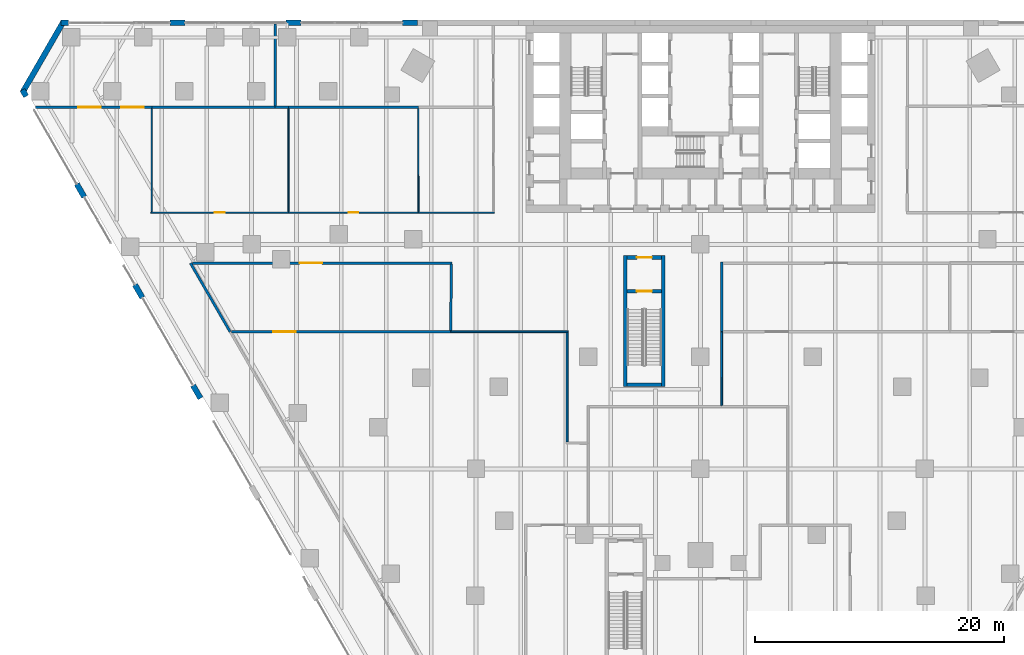
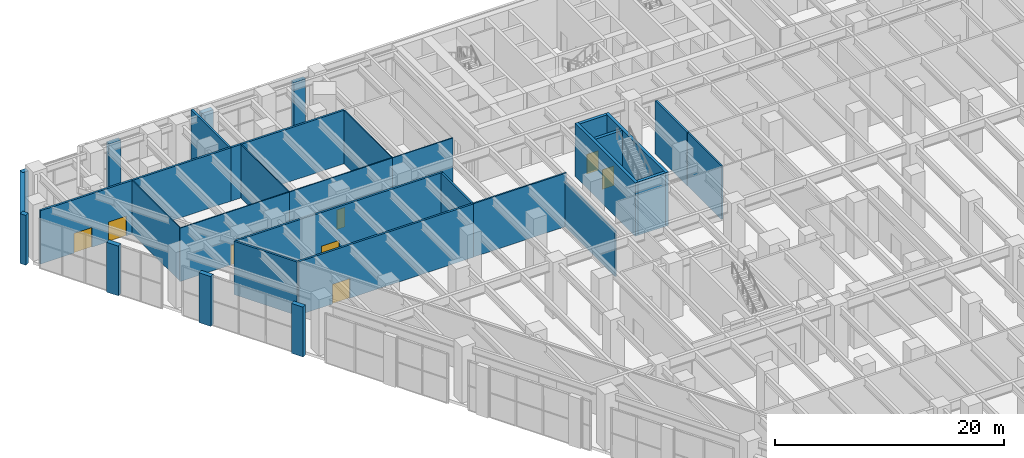
# One storey, part 31 of 37: 33 walls, 8 doors, 8 openings.
"""IFC4 building model written with IfcOpenShell, lengths in metres."""

from ifc_helpers import new_model, si_unit, direction, frame, frame_2d, origin, place, context, subcontext, project, spatial, polyline, rectangle, outline, extrude, material, layer, layer_set, type_object, element, fill, save


model = new_model("IFC4")

# Units and contexts
model_context = context("Model", 3, precision=1e-05, world=origin(), true_north=direction((0.0, 1.0)))
body_context = subcontext(model_context, "Body", "Model", "MODEL_VIEW")
ifc_project = project(units=[si_unit("LENGTHUNIT", "METRE"), si_unit("AREAUNIT", "SQUARE_METRE"), si_unit("VOLUMEUNIT", "CUBIC_METRE"), si_unit("PLANEANGLEUNIT", "RADIAN"), si_unit("MASSUNIT", "GRAM", prefix="KILO")], contexts=[model_context])

# Site, building, storey
site_placement = place(None, origin())
site = spatial("IfcSite", under=ifc_project, at=site_placement, CompositionType="ELEMENT")
building_placement = place(site_placement, origin())
building = spatial("IfcBuilding", under=site, at=building_placement, Name="Aloe Facet Convention Tower", CompositionType="ELEMENT")
storey_placement = place(building_placement, frame((0.0, 0.0, 7.5)))
storey = spatial("IfcBuildingStorey", under=building, at=storey_placement, Name="L01", CompositionType="ELEMENT", Elevation=7.5)

# Walls
ifc_material_1 = material(Name="Concrete C50/60", Category="concrete")
ifc_layer_1 = layer(ifc_material_1, 0.300048828125)
ifc_layer_set_1 = layer_set([ifc_layer_1], Name="CR-W-RC300-C5060")
wall_type_1 = type_object("IfcWallType", Name="CR-W-RC300-C5060", PredefinedType="SOLIDWALL", material=ifc_layer_set_1)
for number, where, z_axis, x_axis, name in (
    (1, (73.97509765625, 105.60009765625, 0.0), (0.0, 0.0, 1.0), (0.0, 1.0, 0.0), "Exit stair wall L01-06"),
    (2, (77.02490234375, 105.60009765625, 0.0), (0.0, 0.0, 1.0), (0.0, 1.0, 0.0), "Exit stair wall L01-07"),
):
    element("IfcWall", number, at=place(storey_placement, frame(where, z_axis=z_axis, x_axis=x_axis)), inside=storey, type_object=wall_type_1, Name=name, PredefinedType="SOLIDWALL", context=body_context, shape_type="SweptSolid", body=[
        extrude(rectangle(XDim=10.5, YDim=0.300048828125, at=frame_2d((5.25, 0.0))), origin(), (0.0, 0.0, 1.0), 5.699951171875),
    ])
wall_1_placement = place(storey_placement, frame((74.125, 105.75, 0.0), z_axis=(0.0, 0.0, 1.0), x_axis=(1.0, 0.0, 0.0)))
element("IfcWall", 3, at=wall_1_placement, inside=storey, type_object=wall_type_1, Name="Exit stair wall L01-08", PredefinedType="SOLIDWALL", context=body_context, shape_type="SweptSolid", body=[
    extrude(rectangle(XDim=2.75, YDim=0.300048828125, at=frame_2d((1.375, 0.0))), origin(), (0.0, 0.0, 1.0), 5.699951171875),
])

# Wall, opening, door
wall_2_placement = place(storey_placement, frame((74.125, 113.25, 0.0), z_axis=(0.0, 0.0, 1.0), x_axis=(1.0, 0.0, 0.0)))
wall_2 = element("IfcWall", 4, at=wall_2_placement, inside=storey, type_object=wall_type_1, Name="Exit stair wall L01-09", PredefinedType="SOLIDWALL", context=body_context, shape_type="SweptSolid", body=[
    extrude(rectangle(XDim=2.75, YDim=0.300048828125, at=frame_2d((1.375, 0.0))), origin(), (0.0, 0.0, 1.0), 5.699951171875),
])
opening_1_placement = place(wall_2_placement, frame((0.77490234375, 0.0, 0.0)))
opening_1 = element("IfcOpeningElement", 5, at=opening_1_placement, cuts=wall_2, Name="Opening L01-ST5-01", PredefinedType="OPENING", context=body_context, shape_type="SweptSolid", body=[
    extrude(rectangle(XDim=1.199951171875, YDim=2.10009765625, at=frame_2d((0.60009765625, 1.050048828125))), frame((0.0, 0.16015625, 0.0), z_axis=(0.0, -1.0, 0.0), x_axis=(1.0, 0.0, 0.0)), (0.0, 0.0, 1.0), 0.320068359375),
])
ifc_material_2 = material(Name="Steel fire-resisting door set FD120", Category="steel")
door_type_1 = type_object("IfcDoorType", Name="CR-D-STAIR-1200-FD120-SLEFT", OperationType="SINGLE_SWING_LEFT", PredefinedType="DOOR", material=ifc_material_2)
door_1_placement = place(opening_1_placement, origin())
door_1 = element("IfcDoor", 6, at=door_1_placement, inside=storey, type_object=door_type_1, Name="Stair door L01-ST5-01", OperationType="SINGLE_SWING_LEFT", OverallHeight=2.10009765625, OverallWidth=1.199951171875, PredefinedType="DOOR", context=body_context, shape_type="SweptSolid", body=[
    extrude(rectangle(XDim=1.199951171875, YDim=2.10009765625, at=frame_2d((0.60009765625, 1.050048828125))), frame((0.0, 0.02490234375, 0.0), z_axis=(0.0, -1.0, 0.0), x_axis=(1.0, 0.0, 0.0)), (0.0, 0.0, 1.0), 0.050048828125),
])
fill(opening_1, door_1)

wall_3_placement = place(storey_placement, frame((74.125, 115.949951171875, 0.0), z_axis=(0.0, 0.0, 1.0), x_axis=(1.0, 0.0, 0.0)))
wall_3 = element("IfcWall", 7, at=wall_3_placement, inside=storey, type_object=wall_type_1, Name="Exit stair wall L01-10", PredefinedType="SOLIDWALL", context=body_context, shape_type="SweptSolid", body=[
    extrude(rectangle(XDim=2.75, YDim=0.300048828125, at=frame_2d((1.375, 0.0))), origin(), (0.0, 0.0, 1.0), 5.699951171875),
])
opening_2_placement = place(wall_3_placement, frame((0.77490234375, 0.0, 0.0)))
opening_2 = element("IfcOpeningElement", 8, at=opening_2_placement, cuts=wall_3, Name="Opening L01-ST5-02", PredefinedType="OPENING", context=body_context, shape_type="SweptSolid", body=[
    extrude(rectangle(XDim=1.199951171875, YDim=2.10009765625, at=frame_2d((0.60009765625, 1.050048828125))), frame((0.0, 0.16015625, 0.0), z_axis=(0.0, -1.0, 0.0), x_axis=(1.0, 0.0, 0.0)), (0.0, 0.0, 1.0), 0.320068359375),
])
ifc_material_3 = material(Name="Steel fire-resisting door set FD60", Category="steel")
door_type_2 = type_object("IfcDoorType", Name="CR-D-EXIT-1200-FD60-SRIGHT", OperationType="SINGLE_SWING_RIGHT", PredefinedType="DOOR", material=ifc_material_3)
door_2_placement = place(opening_2_placement, origin())
door_2 = element("IfcDoor", 9, at=door_2_placement, inside=storey, type_object=door_type_2, Name="Stair lobby door L01-ST5-02", OperationType="SINGLE_SWING_RIGHT", OverallHeight=2.10009765625, OverallWidth=1.199951171875, PredefinedType="DOOR", context=body_context, shape_type="SweptSolid", body=[
    extrude(rectangle(XDim=1.199951171875, YDim=2.10009765625, at=frame_2d((0.60009765625, 1.050048828125))), frame((0.0, 0.02490234375, 0.0), z_axis=(0.0, -1.0, 0.0), x_axis=(1.0, 0.0, 0.0)), (0.0, 0.0, 1.0), 0.050048828125),
])
fill(opening_2, door_2)

# Walls
ifc_material_4 = material(Name="Precast concrete C40/50", Category="concrete")
ifc_layer_2 = layer(ifc_material_4, 0.449951171875)
ifc_layer_set_2 = layer_set([ifc_layer_2], Name="EV-WALL-PIER")
wall_type_2 = type_object("IfcWallType", Name="EV-WALL-PIER", PredefinedType="SOLIDWALL", material=ifc_layer_set_2)
wall_4_placement = place(storey_placement, frame((0.0, 0.0, -0.300048828125)))
element("IfcWall", 10, at=wall_4_placement, inside=storey, type_object=wall_type_2, Name="EP-L01-A", PredefinedType="SOLIDWALL", context=body_context, shape_type="SweptSolid", body=[
    extrude(outline(polyline([(28.732421875, 135.0), (28.732421875, 134.550048828125), (28.9921875, 134.550048828125), (25.9521484375, 129.2841796875), (25.822265625, 129.50927734375), (25.432373046875, 129.2841796875), (28.732421875, 135.0)])), origin(), (0.0, 0.0, 1.0), 5.3125),
])
ifc_material_5 = material(Name="Precast concrete C40/50", Category="concrete")
ifc_layer_3 = layer(ifc_material_5, 0.449951171875)
ifc_layer_set_3 = layer_set([ifc_layer_3], Name="EV-WALL-STONE")
wall_type_3 = type_object("IfcWallType", Name="EV-WALL-STONE", PredefinedType="SOLIDWALL", material=ifc_layer_set_3)
for number, where, z_axis, x_axis, name in (
    (11, (57.296630859375, 134.77490234375, -0.300048828125), (0.0, 0.0, 1.0), (-1.0, 0.0, 0.0), "PW-L01-N17"),
    (12, (47.97509765625, 134.77490234375, -0.300048828125), (0.0, 0.0, 1.0), (-1.0, 0.0, 0.0), "PW-L01-N19"),
    (13, (38.65380859375, 134.77490234375, -0.300048828125), (0.0, 0.0, 1.0), (-1.0, 0.0, 0.0), "PW-L01-N21"),
):
    element("IfcWall", number, at=place(storey_placement, frame(where, z_axis=z_axis, x_axis=x_axis)), inside=storey, type_object=wall_type_3, Name=name, PredefinedType="SOLIDWALL", context=body_context, shape_type="SweptSolid", body=[
        extrude(rectangle(XDim=1.199951171875, YDim=0.449951171875, at=frame_2d((0.60009765625, 0.0))), origin(), (0.0, 0.0, 1.0), 5.3125),
    ])
wall_5_placement = place(storey_placement, frame((29.33251953125, 134.77490234375, -0.300048828125), z_axis=(0.0, 0.0, 1.0), x_axis=(-1.0, 0.0, 0.0)))
element("IfcWall", 14, at=wall_5_placement, inside=storey, type_object=wall_type_3, Name="PW-L01-N23", PredefinedType="SOLIDWALL", context=body_context, shape_type="SweptSolid", body=[
    extrude(rectangle(XDim=0.60009765625, YDim=0.449951171875, at=frame_2d((0.300048828125, 0.0))), origin(), (0.0, 0.0, 1.0), 5.3125),
])
wall_6_placement = place(storey_placement, frame((25.62744140625, 129.396728515625, -0.300048828125), z_axis=(0.0, 0.0, 1.0), x_axis=(0.499816412211, -0.866131372301, 0.0)))
element("IfcWall", 15, at=wall_6_placement, inside=storey, type_object=wall_type_3, Name="PW-L01-W01", PredefinedType="SOLIDWALL", context=body_context, shape_type="SweptSolid", body=[
    extrude(rectangle(XDim=0.599853515625, YDim=0.449951171875, at=frame_2d((0.2998046875, 0.0))), origin(), (0.0, 0.0, 1.0), 5.3125),
])
wall_7_placement = place(storey_placement, frame((29.988037109375, 121.84375, -0.300048828125), z_axis=(0.0, 0.0, 1.0), x_axis=(0.50012165622, -0.865955154139, 0.0)))
element("IfcWall", 16, at=wall_7_placement, inside=storey, type_object=wall_type_3, Name="PW-L01-W03", PredefinedType="SOLIDWALL", context=body_context, shape_type="SweptSolid", body=[
    extrude(rectangle(XDim=1.199951171875, YDim=0.449951171875, at=frame_2d((0.60009765625, 0.0))), origin(), (0.0, 0.0, 1.0), 5.3125),
])
for number, where, z_axis, x_axis, name in (
    (17, (34.648681640625, 113.771240234375, -0.300048828125), (0.0, 0.0, 1.0), (0.500033551112, -0.866006032174, 0.0), "PW-L01-W05"),
    (18, (39.309326171875, 105.69873046875, -0.300048828125), (0.0, 0.0, 1.0), (0.500033551112, -0.866006032174, 0.0), "PW-L01-W07"),
):
    element("IfcWall", number, at=place(storey_placement, frame(where, z_axis=z_axis, x_axis=x_axis)), inside=storey, type_object=wall_type_3, Name=name, PredefinedType="SOLIDWALL", context=body_context, shape_type="SweptSolid", body=[
        extrude(rectangle(XDim=1.2001953125, YDim=0.449951171875, at=frame_2d((0.60009765625, 0.0))), origin(), (0.0, 0.0, 1.0), 5.3125),
    ])
ifc_material_6 = material(Name="Masonry blockwork wall, plastered", Category="masonry")
ifc_layer_4 = layer(ifc_material_6, 0.199951171875)
ifc_layer_set_4 = layer_set([ifc_layer_4], Name="IN-POD-W-ASSY")
wall_type_4 = type_object("IfcWallType", Name="IN-POD-W-ASSY", PredefinedType="PARTITIONING", material=ifc_layer_set_4)
wall_8_placement = place(storey_placement, frame((39.106689453125, 115.5, 0.0), z_axis=(0.0, 0.0, 1.0), x_axis=(0.49998423276, -0.866034506813, 0.0)))
element("IfcWall", 19, at=wall_8_placement, inside=storey, type_object=wall_type_4, Name="Partition L01-W023", PredefinedType="PARTITIONING", context=body_context, shape_type="SweptSolid", body=[
    extrude(rectangle(XDim=6.350830078125, YDim=0.199951171875, at=frame_2d((3.17529296875, 0.0))), origin(), (0.0, 0.0, 1.0), 5.699951171875),
])

# Wall, opening, door
wall_9_placement = place(storey_placement, frame((42.406982421875, 110.0, 0.0), z_axis=(0.0, 0.0, 1.0), x_axis=(1.0, 0.0, 0.0)))
wall_9 = element("IfcWall", 20, at=wall_9_placement, inside=storey, type_object=wall_type_4, Name="Partition L01-W025", PredefinedType="PARTITIONING", context=body_context, shape_type="SweptSolid", body=[
    extrude(rectangle(XDim=17.5830078125, YDim=0.199951171875, at=frame_2d((8.79150390625, 0.0))), origin(), (0.0, 0.0, 1.0), 5.699951171875),
])
opening_3_placement = place(wall_9_placement, frame((3.336669921875, 0.0, 0.0)))
opening_3 = element("IfcOpeningElement", 21, at=opening_3_placement, cuts=wall_9, Name="Opening L01-021", PredefinedType="OPENING", context=body_context, shape_type="SweptSolid", body=[
    extrude(rectangle(XDim=1.800048828125, YDim=2.10009765625, at=frame_2d((0.89990234375, 1.050048828125))), frame((0.0, 0.10986328125, 0.0), z_axis=(0.0, -1.0, 0.0), x_axis=(1.0, 0.0, 0.0)), (0.0, 0.0, 1.0), 0.219970703125),
])
ifc_material_7 = material(Name="Hardwood flush door pair", Category="wood")
door_type_3 = type_object("IfcDoorType", Name="IN-POD-D-PAIR", OperationType="DOUBLE_DOOR_SINGLE_SWING", PredefinedType="DOOR", material=ifc_material_7)
door_3_placement = place(opening_3_placement, origin())
door_3 = element("IfcDoor", 22, at=door_3_placement, inside=storey, type_object=door_type_3, Name="Door L01-021", OperationType="SINGLE_SWING_LEFT", OverallHeight=2.10009765625, OverallWidth=1.800048828125, PredefinedType="DOOR", context=body_context, shape_type="SweptSolid", body=[
    extrude(rectangle(XDim=1.800048828125, YDim=2.10009765625, at=frame_2d((0.89990234375, 1.050048828125))), frame((0.0, 0.02490234375, 0.0), z_axis=(0.0, -1.0, 0.0), x_axis=(1.0, 0.0, 0.0)), (0.0, 0.0, 1.0), 0.050048828125),
])
fill(opening_3, door_3)

# Wall
wall_10_placement = place(storey_placement, frame((81.695068359375, 110.0, 0.0), z_axis=(0.0, 0.0, 1.0), x_axis=(0.0, 1.0, 0.0)))
element("IfcWall", 23, at=wall_10_placement, inside=storey, type_object=wall_type_4, Name="Partition L01-W027", PredefinedType="PARTITIONING", context=body_context, shape_type="SweptSolid", body=[
    extrude(rectangle(XDim=5.574951171875, YDim=0.199951171875, at=frame_2d((2.78759765625, 0.0))), origin(), (0.0, 0.0, 1.0), 5.699951171875),
])

# Wall, opening, door
wall_11_placement = place(storey_placement, frame((39.2666015625, 115.5, 0.0), z_axis=(0.0, 0.0, 1.0), x_axis=(1.0, 0.0, 0.0)))
wall_11 = element("IfcWall", 24, at=wall_11_placement, inside=storey, type_object=wall_type_4, Name="Partition L01-W032", PredefinedType="PARTITIONING", context=body_context, shape_type="SweptSolid", body=[
    extrude(rectangle(XDim=20.808349609375, YDim=0.199951171875, at=frame_2d((10.404296875, 0.0))), origin(), (0.0, 0.0, 1.0), 5.699951171875),
])
opening_4_placement = place(wall_11_placement, frame((8.583740234375, 0.0, 0.0)))
opening_4 = element("IfcOpeningElement", 25, at=opening_4_placement, cuts=wall_11, Name="Opening L01-020", PredefinedType="OPENING", context=body_context, shape_type="SweptSolid", body=[
    extrude(rectangle(XDim=1.800048828125, YDim=2.10009765625, at=frame_2d((0.89990234375, 1.050048828125))), frame((0.0, 0.10986328125, 0.0), z_axis=(0.0, -1.0, 0.0), x_axis=(1.0, 0.0, 0.0)), (0.0, 0.0, 1.0), 0.219970703125),
])
door_4_placement = place(opening_4_placement, origin())
door_4 = element("IfcDoor", 26, at=door_4_placement, inside=storey, type_object=door_type_3, Name="Door L01-020", OperationType="SINGLE_SWING_LEFT", OverallHeight=2.10009765625, OverallWidth=1.800048828125, PredefinedType="DOOR", context=body_context, shape_type="SweptSolid", body=[
    extrude(rectangle(XDim=1.800048828125, YDim=2.10009765625, at=frame_2d((0.89990234375, 1.050048828125))), frame((0.0, 0.02490234375, 0.0), z_axis=(0.0, -1.0, 0.0), x_axis=(1.0, 0.0, 0.0)), (0.0, 0.0, 1.0), 0.050048828125),
])
fill(opening_4, door_4)

# Wall
wall_12_placement = place(storey_placement, frame((59.990234375, 110.0849609375, 0.0), z_axis=(0.0, 0.0, 1.0), x_axis=(0.001786365783, 0.999998404447, 0.0)))
element("IfcWall", 27, at=wall_12_placement, inside=storey, type_object=wall_type_4, Name="Partition L01-W033", PredefinedType="PARTITIONING", context=body_context, shape_type="SweptSolid", body=[
    extrude(rectangle(XDim=5.330078125, YDim=0.199951171875, at=frame_2d((2.6650390625, 0.0))), origin(), (0.0, 0.0, 1.0), 5.699951171875),
])

# Wall, openings, doors
wall_13_placement = place(storey_placement, frame((26.69384765625, 128.0, 0.0), z_axis=(0.0, 0.0, 1.0), x_axis=(1.0, 0.0, 0.0)))
wall_13 = element("IfcWall", 28, at=wall_13_placement, inside=storey, type_object=wall_type_4, Name="Partition L01-W047", PredefinedType="PARTITIONING", context=body_context, shape_type="SweptSolid", body=[
    extrude(rectangle(XDim=9.30615234375, YDim=0.199951171875, at=frame_2d((4.653076171875, 0.0))), origin(), (0.0, 0.0, 1.0), 5.699951171875),
])
opening_5_placement = place(wall_13_placement, frame((3.40771484375, 0.0, 0.0)))
opening_5 = element("IfcOpeningElement", 29, at=opening_5_placement, cuts=wall_13, Name="Opening L01-009", PredefinedType="OPENING", context=body_context, shape_type="SweptSolid", body=[
    extrude(rectangle(XDim=1.800048828125, YDim=2.10009765625, at=frame_2d((0.89990234375, 1.050048828125))), frame((0.0, 0.10986328125, 0.0), z_axis=(0.0, -1.0, 0.0), x_axis=(1.0, 0.0, 0.0)), (0.0, 0.0, 1.0), 0.219970703125),
])
opening_6_placement = place(wall_13_placement, frame((6.86083984375, 0.0, 0.0)))
opening_6 = element("IfcOpeningElement", 30, at=opening_6_placement, cuts=wall_13, Name="Opening L01-010", PredefinedType="OPENING", context=body_context, shape_type="SweptSolid", body=[
    extrude(rectangle(XDim=1.800048828125, YDim=2.10009765625, at=frame_2d((0.89990234375, 1.050048828125))), frame((0.0, 0.10986328125, 0.0), z_axis=(0.0, -1.0, 0.0), x_axis=(1.0, 0.0, 0.0)), (0.0, 0.0, 1.0), 0.219970703125),
])
door_5_placement = place(opening_5_placement, origin())
door_5 = element("IfcDoor", 31, at=door_5_placement, inside=storey, type_object=door_type_3, Name="Door L01-009", OperationType="SINGLE_SWING_LEFT", OverallHeight=2.10009765625, OverallWidth=1.800048828125, PredefinedType="DOOR", context=body_context, shape_type="SweptSolid", body=[
    extrude(rectangle(XDim=1.800048828125, YDim=2.10009765625, at=frame_2d((0.89990234375, 1.050048828125))), frame((0.0, 0.02490234375, 0.0), z_axis=(0.0, -1.0, 0.0), x_axis=(1.0, 0.0, 0.0)), (0.0, 0.0, 1.0), 0.050048828125),
])
fill(opening_5, door_5)
door_6_placement = place(opening_6_placement, origin())
door_6 = element("IfcDoor", 32, at=door_6_placement, inside=storey, type_object=door_type_3, Name="Door L01-010", OperationType="SINGLE_SWING_LEFT", OverallHeight=2.10009765625, OverallWidth=1.800048828125, PredefinedType="DOOR", context=body_context, shape_type="SweptSolid", body=[
    extrude(rectangle(XDim=1.800048828125, YDim=2.10009765625, at=frame_2d((0.89990234375, 1.050048828125))), frame((0.0, 0.02490234375, 0.0), z_axis=(0.0, -1.0, 0.0), x_axis=(1.0, 0.0, 0.0)), (0.0, 0.0, 1.0), 0.050048828125),
])
fill(opening_6, door_6)

# Walls
wall_14_placement = place(storey_placement, frame((36.0, 128.0, 0.0), z_axis=(0.0, 0.0, 1.0), x_axis=(1.0, 0.0, 0.0)))
element("IfcWall", 33, at=wall_14_placement, inside=storey, type_object=wall_type_4, Name="Partition L01-W049", PredefinedType="PARTITIONING", context=body_context, shape_type="SweptSolid", body=[
    extrude(rectangle(XDim=9.89990234375, YDim=0.199951171875, at=frame_2d((4.949951171875, 0.0))), origin(), (0.0, 0.0, 1.0), 5.699951171875),
])
wall_15_placement = place(storey_placement, frame((45.89990234375, 128.10009765625, 0.0), z_axis=(0.0, 0.0, 1.0), x_axis=(0.0, 1.0, 0.0)))
element("IfcWall", 34, at=wall_15_placement, inside=storey, type_object=wall_type_4, Name="Partition L01-W050", PredefinedType="PARTITIONING", context=body_context, shape_type="SweptSolid", body=[
    extrude(rectangle(XDim=6.574951171875, YDim=0.199951171875, at=frame_2d((3.28759765625, 0.0))), origin(), (0.0, 0.0, 1.0), 5.699951171875),
])
wall_16_placement = place(storey_placement, frame((45.89990234375, 128.0, 0.0), z_axis=(0.0, 0.0, 1.0), x_axis=(1.0, 0.0, 0.0)))
element("IfcWall", 35, at=wall_16_placement, inside=storey, type_object=wall_type_4, Name="Partition L01-W051", PredefinedType="PARTITIONING", context=body_context, shape_type="SweptSolid", body=[
    extrude(rectangle(XDim=1.06005859375, YDim=0.199951171875, at=frame_2d((0.530029296875, 0.0))), origin(), (0.0, 0.0, 1.0), 5.699951171875),
])
wall_17_placement = place(storey_placement, frame((46.9599609375, 128.0, 0.0), z_axis=(0.0, 0.0, 1.0), x_axis=(1.0, 0.0, 0.0)))
element("IfcWall", 36, at=wall_17_placement, inside=storey, type_object=wall_type_4, Name="Partition L01-W052", PredefinedType="PARTITIONING", context=body_context, shape_type="SweptSolid", body=[
    extrude(rectangle(XDim=10.412109375, YDim=0.199951171875, at=frame_2d((5.2060546875, 0.0))), origin(), (0.0, 0.0, 1.0), 5.699951171875),
])
ifc_material_8 = material(Name="Gypsum board partition on steel studs, double layer", Category="steel")
ifc_layer_5 = layer(ifc_material_8, 0.14990234375)
ifc_layer_set_5 = layer_set([ifc_layer_5], Name="IN-POD-W-CORR")
wall_type_5 = type_object("IfcWallType", Name="IN-POD-W-CORR", PredefinedType="PARTITIONING", material=ifc_layer_set_5)
wall_18_placement = place(storey_placement, frame((81.704833984375, 104.074951171875, 0.0), z_axis=(0.0, 0.0, 1.0), x_axis=(-0.00164819093, 0.999998641732, 0.0)))
element("IfcWall", 37, at=wall_18_placement, inside=storey, type_object=wall_type_5, Name="Partition L01-W021", PredefinedType="PARTITIONING", context=body_context, shape_type="SweptSolid", body=[
    extrude(rectangle(XDim=5.925048828125, YDim=0.14990234375, at=frame_2d((2.96240234375, 0.0))), origin(), (0.0, 0.0, 1.0), 5.699951171875),
])
wall_19_placement = place(storey_placement, frame((59.989990234375, 110.0, 0.0), z_axis=(0.0, 0.0, 1.0), x_axis=(1.0, 0.0, 0.0)))
element("IfcWall", 38, at=wall_19_placement, inside=storey, type_object=wall_type_5, Name="Partition L01-W024", PredefinedType="PARTITIONING", context=body_context, shape_type="SweptSolid", body=[
    extrude(rectangle(XDim=9.389892578125, YDim=0.14990234375, at=frame_2d((4.69482421875, 0.0))), origin(), (0.0, 0.0, 1.0), 5.699951171875),
])
wall_20_placement = place(storey_placement, frame((69.305419921875, 101.155029296875, 0.0), z_axis=(0.0, 0.0, 1.0), x_axis=(-5.5676187e-05, 0.99999999845, 0.0)))
element("IfcWall", 39, at=wall_20_placement, inside=storey, type_object=wall_type_5, Name="Partition L01-W026", PredefinedType="PARTITIONING", context=body_context, shape_type="SweptSolid", body=[
    extrude(rectangle(XDim=8.77001953125, YDim=0.14990234375, at=frame_2d((4.385009765625, 0.0))), origin(), (0.0, 0.0, 1.0), 4.839111328125),
])

# Wall, opening, door
ifc_material_9 = material(Name="Gypsum board partition on steel studs, moisture resistant", Category="steel")
ifc_layer_6 = layer(ifc_material_9, 0.10009765625)
ifc_layer_set_6 = layer_set([ifc_layer_6], Name="IN-POD-W-WET")
wall_type_6 = type_object("IfcWallType", Name="IN-POD-W-WET", PredefinedType="PARTITIONING", material=ifc_layer_set_6)
wall_21_placement = place(storey_placement, frame((35.925537109375, 119.550048828125, 0.0), z_axis=(0.0, 0.0, 1.0), x_axis=(1.0, 0.0, 0.0)))
wall_21 = element("IfcWall", 40, at=wall_21_placement, inside=storey, type_object=wall_type_6, Name="Partition L01-W037", PredefinedType="PARTITIONING", context=body_context, shape_type="SweptSolid", body=[
    extrude(rectangle(XDim=11.04443359375, YDim=0.10009765625, at=frame_2d((5.522216796875, 0.0))), origin(), (0.0, 0.0, 1.0), 5.699951171875),
])
opening_7_placement = place(wall_21_placement, frame((5.122314453125, 0.0, 0.0)))
opening_7 = element("IfcOpeningElement", 41, at=opening_7_placement, cuts=wall_21, Name="Opening L01-001", PredefinedType="OPENING", context=body_context, shape_type="SweptSolid", body=[
    extrude(rectangle(XDim=0.800048828125, YDim=2.10009765625, at=frame_2d((0.39990234375, 1.050048828125))), frame((0.0, 0.06005859375, 0.0), z_axis=(0.0, -1.0, 0.0), x_axis=(1.0, 0.0, 0.0)), (0.0, 0.0, 1.0), 0.1201171875),
])
ifc_material_10 = material(Name="Timber flush door", Category="wood")
door_type_4 = type_object("IfcDoorType", Name="IN-POD-D-WC", OperationType="SINGLE_SWING_LEFT", PredefinedType="DOOR", material=ifc_material_10)
door_7_placement = place(opening_7_placement, origin())
door_7 = element("IfcDoor", 42, at=door_7_placement, inside=storey, type_object=door_type_4, Name="Door L01-001", OperationType="SINGLE_SWING_LEFT", OverallHeight=2.10009765625, OverallWidth=0.800048828125, PredefinedType="DOOR", context=body_context, shape_type="SweptSolid", body=[
    extrude(rectangle(XDim=0.800048828125, YDim=2.10009765625, at=frame_2d((0.39990234375, 1.050048828125))), frame((0.0, 0.02490234375, 0.0), z_axis=(0.0, -1.0, 0.0), x_axis=(1.0, 0.0, 0.0)), (0.0, 0.0, 1.0), 0.050048828125),
])
fill(opening_7, door_7)

wall_22_placement = place(storey_placement, frame((46.969970703125, 119.550048828125, 0.0), z_axis=(0.0, 0.0, 1.0), x_axis=(1.0, 0.0, 0.0)))
wall_22 = element("IfcWall", 43, at=wall_22_placement, inside=storey, type_object=wall_type_6, Name="Partition L01-W038", PredefinedType="PARTITIONING", context=body_context, shape_type="SweptSolid", body=[
    extrude(rectangle(XDim=10.412109375, YDim=0.10009765625, at=frame_2d((5.2060546875, 0.0))), origin(), (0.0, 0.0, 1.0), 5.699951171875),
])
opening_8_placement = place(wall_22_placement, frame((4.805908203125, 0.0, 0.0)))
opening_8 = element("IfcOpeningElement", 44, at=opening_8_placement, cuts=wall_22, Name="Opening L01-002", PredefinedType="OPENING", context=body_context, shape_type="SweptSolid", body=[
    extrude(rectangle(XDim=0.800048828125, YDim=2.10009765625, at=frame_2d((0.39990234375, 1.050048828125))), frame((0.0, 0.06005859375, 0.0), z_axis=(0.0, -1.0, 0.0), x_axis=(1.0, 0.0, 0.0)), (0.0, 0.0, 1.0), 0.1201171875),
])
door_8_placement = place(opening_8_placement, origin())
door_8 = element("IfcDoor", 45, at=door_8_placement, inside=storey, type_object=door_type_4, Name="Door L01-002", OperationType="SINGLE_SWING_LEFT", OverallHeight=2.10009765625, OverallWidth=0.800048828125, PredefinedType="DOOR", context=body_context, shape_type="SweptSolid", body=[
    extrude(rectangle(XDim=0.800048828125, YDim=2.10009765625, at=frame_2d((0.39990234375, 1.050048828125))), frame((0.0, 0.02490234375, 0.0), z_axis=(0.0, -1.0, 0.0), x_axis=(1.0, 0.0, 0.0)), (0.0, 0.0, 1.0), 0.050048828125),
])
fill(opening_8, door_8)

# Walls
wall_23_placement = place(storey_placement, frame((46.969970703125, 119.625, 0.0), z_axis=(0.0, 0.0, 1.0), x_axis=(-0.001180149057, 0.999999303624, 0.0)))
element("IfcWall", 46, at=wall_23_placement, inside=storey, type_object=wall_type_6, Name="Partition L01-W039", PredefinedType="PARTITIONING", context=body_context, shape_type="SweptSolid", body=[
    extrude(rectangle(XDim=8.27490234375, YDim=0.10009765625, at=frame_2d((4.137451171875, 0.0))), origin(), (0.0, 0.0, 1.0), 5.699951171875),
])
wall_24_placement = place(storey_placement, frame((57.382080078125, 119.550048828125, 0.0), z_axis=(0.0, 0.0, 1.0), x_axis=(1.0, 0.0, 0.0)))
element("IfcWall", 47, at=wall_24_placement, inside=storey, type_object=wall_type_6, Name="Partition L01-W040", PredefinedType="PARTITIONING", context=body_context, shape_type="SweptSolid", body=[
    extrude(rectangle(XDim=6.09228515625, YDim=0.10009765625, at=frame_2d((3.046142578125, 0.0))), origin(), (0.0, 0.0, 1.0), 5.699951171875),
])
for number, where, z_axis, x_axis, name in (
    (48, (57.3818359375, 119.625, 0.0), (0.0, 0.0, 1.0), (-0.001180149057, 0.999999303624, 0.0), "Partition L01-W041"),
    (49, (36.00048828125, 119.625, 0.0), (0.0, 0.0, 1.0), (-5.9007494e-05, 0.999999998259, 0.0), "Partition L01-W048"),
):
    element("IfcWall", number, at=place(storey_placement, frame(where, z_axis=z_axis, x_axis=x_axis)), inside=storey, type_object=wall_type_6, Name=name, PredefinedType="PARTITIONING", context=body_context, shape_type="SweptSolid", body=[
        extrude(rectangle(XDim=8.27490234375, YDim=0.10009765625, at=frame_2d((4.137451171875, 0.0))), origin(), (0.0, 0.0, 1.0), 5.699951171875),
    ])

save(model, "model.ifc")
